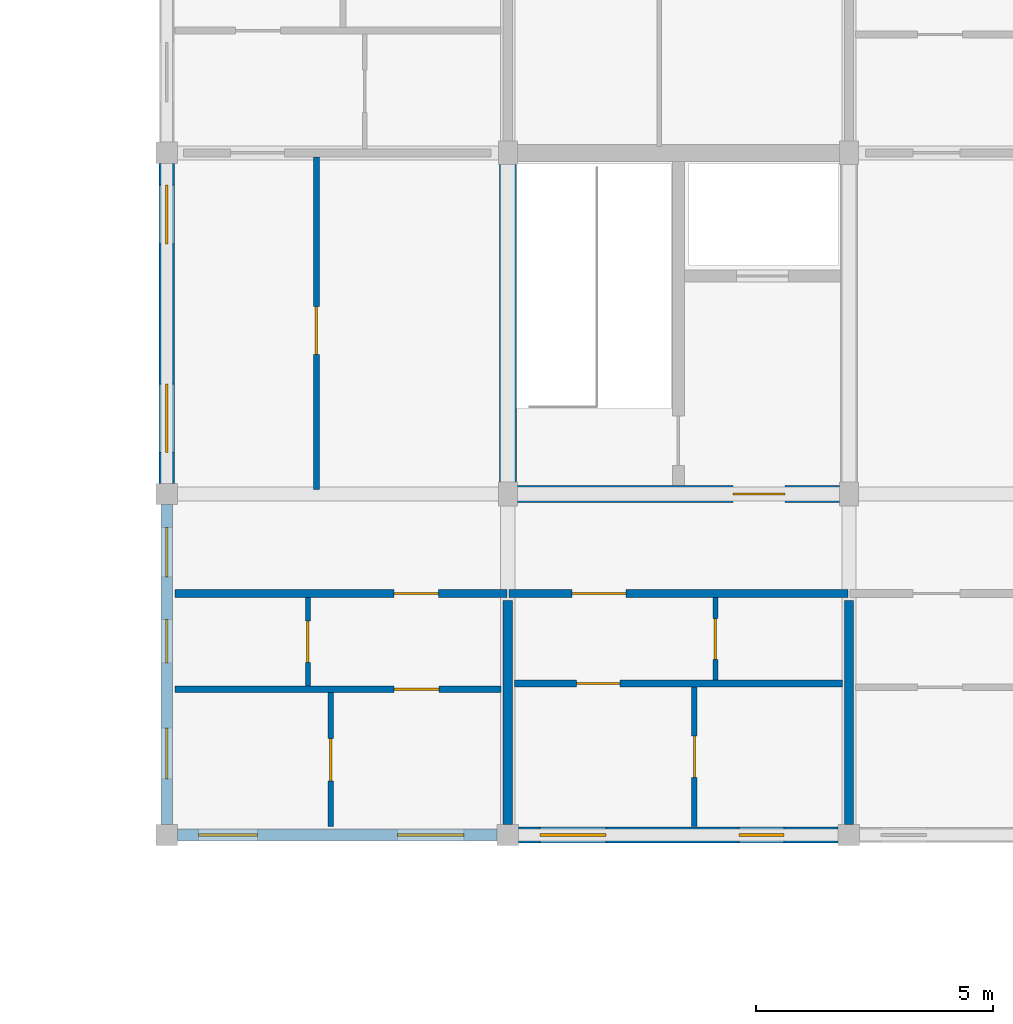
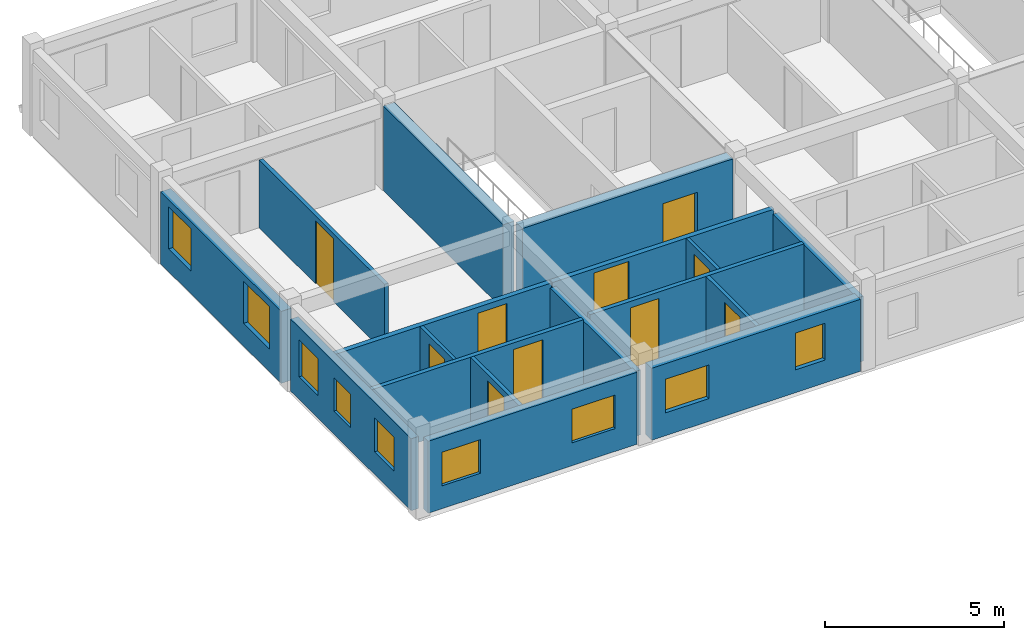
# One storey, part 17 of 23: 17 walls, 10 doors, 9 windows, 19 openings.
"""IFC4 building model written with IfcOpenShell, lengths in metres."""

import ifcopenshell
import ifcopenshell.guid

model = None  # the IFC model being written
_history = None  # IfcOwnerHistory: only IFC2X3 demands one
_inside = {}  # id of a spatial element -> (the spatial element, [elements in it])
_under = {}  # id of a project, library or spatial element -> (it, [spatial elements below it])
_declared = {}  # id of a project -> (the project, [libraries it declares])
_typed = {}  # id of a type object -> (the type object, [elements of that type])
_made_of = {}  # id of a material, layer set ... -> (it, [elements and type objects made of it])


def new_model(schema):
    """Start an empty IFC model of exactly this schema.

    Asked for "IFC4X3", IfcOpenShell would pick the latest addendum, in which some entities
    have other attributes; the version numbers below select the first issue.
    IFC2X3 requires an IfcOwnerHistory on every rooted entity: one is made here for all.
    """
    global model, _history
    if schema == "IFC4X3":
        model = ifcopenshell.file(schema_version=(4, 3, 0, 0))
    else:
        model = ifcopenshell.file(schema=schema)
    _inside.clear()
    _under.clear()
    _declared.clear()
    _typed.clear()
    _made_of.clear()
    _history = None
    if model.schema == "IFC2X3":
        org = make("IfcOrganization", Name="unknown")
        user = make(
            "IfcPersonAndOrganization",
            ThePerson=make("IfcPerson", FamilyName="unknown"),
            TheOrganization=org,
        )
        app = make(
            "IfcApplication",
            ApplicationDeveloper=org,
            Version="unknown",
            ApplicationFullName="unknown",
            ApplicationIdentifier="unknown",
        )
        _history = make(
            "IfcOwnerHistory",
            OwningUser=user,
            OwningApplication=app,
            ChangeAction="ADDED",
            CreationDate=0,
        )
    return model


def make(cls, **values):
    """One entity of the class cls with the attributes given. An attribute that is None is left unset."""
    return model.create_entity(
        cls, **{name: value for name, value in values.items() if value is not None}
    )


def rooted(cls, **values):
    """An entity with a GlobalId (a new one), such as an element, a storey or a relation."""
    return make(cls, GlobalId=ifcopenshell.guid.new(), OwnerHistory=_history, **values)


def si_unit(unit_type, name, prefix=None):
    """IfcSIUnit, for example si_unit("LENGTHUNIT", "METRE", prefix="MILLI")."""
    return make("IfcSIUnit", UnitType=unit_type, Prefix=prefix, Name=name)


def assignment(units):
    """IfcUnitAssignment: the units of a project."""
    return None if units is None else make("IfcUnitAssignment", Units=units)


def point(xyz):
    """IfcCartesianPoint."""
    return None if xyz is None else make("IfcCartesianPoint", Coordinates=xyz)


def direction(xyz):
    """IfcDirection."""
    return None if xyz is None else make("IfcDirection", DirectionRatios=xyz)


def frame(location, z_axis=None, x_axis=None):
    """IfcAxis2Placement3D, a coordinate frame: its origin and axes. An axis left out is left unset."""
    return make(
        "IfcAxis2Placement3D",
        Location=point(location),
        Axis=direction(z_axis),
        RefDirection=direction(x_axis),
    )


def frame_2d(location, x_axis=None):
    """IfcAxis2Placement2D, a coordinate frame in the plane: its origin and x axis."""
    return make(
        "IfcAxis2Placement2D", Location=point(location), RefDirection=direction(x_axis)
    )


def origin():
    """The frame at (0, 0, 0) with its axes left unset."""
    return frame((0.0, 0.0, 0.0))


def place(relative_to, where):
    """IfcLocalPlacement: puts the frame where relative to a parent placement (None: the world)."""
    return make(
        "IfcLocalPlacement", PlacementRelTo=relative_to, RelativePlacement=where
    )


def context(
    kind, dimensions, precision=None, world=None, true_north=None, identifier=None
):
    """IfcGeometricRepresentationContext, for example the 3D "Model" context."""
    return make(
        "IfcGeometricRepresentationContext",
        ContextIdentifier=identifier,
        ContextType=kind,
        CoordinateSpaceDimension=dimensions,
        Precision=precision,
        WorldCoordinateSystem=world,
        TrueNorth=true_north,
    )


def subcontext(parent, identifier, kind, view, scale=None):
    """IfcGeometricRepresentationSubContext, for example "Body" below "Model"."""
    return make(
        "IfcGeometricRepresentationSubContext",
        ContextIdentifier=identifier,
        ContextType=kind,
        ParentContext=parent,
        TargetScale=scale,
        TargetView=view,
    )


def project(units=None, contexts=None):
    """IfcProject with its units and contexts."""
    return rooted(
        "IfcProject",
        Name="project",
        RepresentationContexts=contexts,
        UnitsInContext=assignment(units),
    )


def spatial(cls, under=None, at=None, **own):
    """A site, building, storey or space (cls), placed at a placement, below another one or the project."""
    s = rooted(cls, ObjectPlacement=at, **own)
    if under is not None:
        _under.setdefault(under.id(), (under, []))[1].append(s)
    return s


def profile(cls, at=None, kind="AREA", **sizes):
    """A parametric profile (cls). Its sizes go by their IFC names, for example OverallWidth=200.0."""
    return make(cls, ProfileType=kind, Position=at, **sizes)


def rectangle(**sizes):
    """IfcRectangleProfileDef."""
    return profile("IfcRectangleProfileDef", **sizes)


def extrude(swept, where, along, depth):
    """IfcExtrudedAreaSolid: the profile swept, set in the frame where, extruded along a direction by depth."""
    return make(
        "IfcExtrudedAreaSolid",
        SweptArea=swept,
        Position=where,
        ExtrudedDirection=direction(along),
        Depth=depth,
    )


def shape(context_of_items, identifier, shape_type, items):
    """IfcShapeRepresentation: the items that make up one representation, for example the "Body"."""
    return make(
        "IfcShapeRepresentation",
        ContextOfItems=context_of_items,
        RepresentationIdentifier=identifier,
        RepresentationType=shape_type,
        Items=items,
    )


def material(Name=None, Category=None):
    """IfcMaterial."""
    return make("IfcMaterial", Name=Name, Category=Category)


def layer(
    of_material, thickness, ventilated=None, Name=None, Category=None, Priority=None
):
    """IfcMaterialLayer: one layer of a wall or slab, of a material (None: an air gap)."""
    return make(
        "IfcMaterialLayer",
        Material=of_material,
        LayerThickness=thickness,
        IsVentilated=ventilated,
        Name=Name,
        Category=Category,
        Priority=Priority,
    )


def layer_set(layers, Name=None):
    """IfcMaterialLayerSet."""
    return make("IfcMaterialLayerSet", MaterialLayers=layers, LayerSetName=Name)


def made_of(thing, what):
    """Note that an element or type object is made of a material, layer set ...; save() writes the relation."""
    if what is not None:
        _made_of.setdefault(what.id(), (what, []))[1].append(thing)
    return thing


def type_object(cls, material=None, **own):
    """A type object (cls), such as IfcWallType, which elements share."""
    return made_of(rooted(cls, **own), material)


def element(
    cls,
    number,
    at=None,
    inside=None,
    cuts=None,
    type_object=None,
    material=None,
    context=None,
    identifier="Body",
    shape_type=None,
    held_by="IfcProductDefinitionShape",
    body=None,
    shapes=None,
    **own,
):
    """One element of the class cls, such as IfcWall. Its Tag is "e" and its number.

    at: its placement. inside: the storey or other place that contains it. cuts: it is an
    opening in that element (IfcRelVoidsElement). A single representation is given by context,
    identifier, shape_type and body (its items); several are given by shapes. held_by: the class
    of the entity that holds the representations. save() writes the other relations.
    """
    e = rooted(cls, Tag="e%d" % number, ObjectPlacement=at, **own)
    if body is not None:
        shapes = [shape(context, identifier, shape_type, body)]
    if shapes is not None:
        e.Representation = make(held_by, Representations=shapes)
    if inside is not None:
        _inside.setdefault(inside.id(), (inside, []))[1].append(e)
    if cuts is not None:
        rooted(
            "IfcRelVoidsElement", RelatingBuildingElement=cuts, RelatedOpeningElement=e
        )
    if type_object is not None:
        _typed.setdefault(type_object.id(), (type_object, []))[1].append(e)
    return made_of(e, material)


def fill(opening, filler):
    """IfcRelFillsElement: the door or window that sits in an opening."""
    return rooted(
        "IfcRelFillsElement",
        RelatingOpeningElement=opening,
        RelatedBuildingElement=filler,
    )


def aggregate(whole, parts):
    """IfcRelAggregates: a whole, such as a stair, and the parts it consists of."""
    return rooted("IfcRelAggregates", RelatingObject=whole, RelatedObjects=parts)


def save(model, path):
    """Write the relations noted so far, then the file.

    IfcRelAggregates (storeys below a building ...), IfcRelContainedInSpatialStructure (elements
    in a storey), IfcRelDefinesByType, IfcRelAssociatesMaterial and IfcRelDeclares: one each for
    every whole, place, type object, material and project.
    """
    for whole, parts in _under.values():
        aggregate(whole, parts)
    for where, things in _inside.values():
        rooted(
            "IfcRelContainedInSpatialStructure",
            RelatedElements=things,
            RelatingStructure=where,
        )
    for kind, things in _typed.values():
        rooted("IfcRelDefinesByType", RelatedObjects=things, RelatingType=kind)
    for what, things in _made_of.values():
        rooted("IfcRelAssociatesMaterial", RelatedObjects=things, RelatingMaterial=what)
    for by, libraries in _declared.values():
        rooted("IfcRelDeclares", RelatingContext=by, RelatedDefinitions=libraries)
    model.write(path)


model = new_model("IFC4")

# Units and contexts
model_context = context("Model", 3, precision=1e-05, world=origin(), true_north=direction((0.0, 1.0)))
body_context = subcontext(model_context, "Body", "Model", "MODEL_VIEW")
ifc_project = project(units=[si_unit("LENGTHUNIT", "METRE"), si_unit("AREAUNIT", "SQUARE_METRE"), si_unit("VOLUMEUNIT", "CUBIC_METRE"), si_unit("PLANEANGLEUNIT", "RADIAN"), si_unit("MASSUNIT", "GRAM", prefix="KILO"), si_unit("THERMODYNAMICTEMPERATUREUNIT", "KELVIN"), si_unit("POWERUNIT", "WATT")], contexts=[model_context])

# Site, building, storey
site_placement = place(None, origin())
site = spatial("IfcSite", under=ifc_project, at=site_placement, CompositionType="ELEMENT")
building_placement = place(site_placement, origin())
building = spatial("IfcBuilding", under=site, at=building_placement, Name="Tavuni Mirador Residences", CompositionType="ELEMENT")
storey_placement = place(building_placement, frame((0.0, 0.0, 42.300048828125)))
storey = spatial("IfcBuildingStorey", under=building, at=storey_placement, Name="L13", CompositionType="ELEMENT", Elevation=42.300048828125)

# Wall
ifc_material_1 = material(Name="Precast concrete C40/50", Category="concrete")
ifc_layer_1 = layer(ifc_material_1, 0.360107421875, Name="Precast concrete C40/50", Category="concrete")
ifc_layer_set_1 = layer_set([ifc_layer_1], Name="Precast concrete C40/50")
wall_type_1 = type_object("IfcWallType", Name="WT-COR360", PredefinedType="SHEAR", material=ifc_layer_set_1)
wall_1_placement = place(storey_placement, frame((25.199951171875, 158.64990234375, 0.0), z_axis=(0.0, 0.0, 1.0), x_axis=(0.0, 1.0, 0.0)))
element("IfcWall", 1, at=wall_1_placement, inside=storey, type_object=wall_type_1, Name="CWALL-C5-L13-W", PredefinedType="SHEAR", context=body_context, shape_type="SweptSolid", body=[
    extrude(rectangle(XDim=6.7001953125, YDim=0.360107421875, at=frame_2d((3.35009765625, 0.0))), origin(), (0.0, 0.0, 1.0), 2.889892578125),
])

# Wall, opening, door
wall_2_placement = place(storey_placement, frame((25.39990234375, 158.39990234375, 0.0), z_axis=(0.0, 0.0, 1.0), x_axis=(1.0, 0.0, 0.0)))
wall_2 = element("IfcWall", 2, at=wall_2_placement, inside=storey, type_object=wall_type_1, Name="CWALL-C5-L13-SS", PredefinedType="SHEAR", context=body_context, shape_type="SweptSolid", body=[
    extrude(rectangle(XDim=6.800048828125, YDim=0.360107421875, at=frame_2d((3.39990234375, 0.0))), origin(), (0.0, 0.0, 1.0), 2.889892578125),
])
opening_1_placement = place(wall_2_placement, frame((4.550048828125, 0.0, 0.0)))
opening_1 = element("IfcOpeningElement", 3, at=opening_1_placement, cuts=wall_2, Name="Opening D-02", PredefinedType="OPENING", context=body_context, shape_type="SweptSolid", body=[
    extrude(rectangle(XDim=1.10009765625, YDim=2.14990234375, at=frame_2d((0.550048828125, 1.074951171875))), frame((0.0, 0.18994140625, 0.0), z_axis=(0.0, -1.0, 0.0), x_axis=(1.0, 0.0, 0.0)), (0.0, 0.0, 1.0), 0.380126953125),
])
ifc_material_2 = material(Name="Solid core iroko timber", Category="wood")
door_type_1 = type_object("IfcDoorType", Name="DT-LOB1100", OperationType="NOTDEFINED", PredefinedType="DOOR", material=ifc_material_2)
door_1_placement = place(opening_1_placement, frame((1.10009765625, 0.0, 0.0), z_axis=(0.0, 0.0, 1.0), x_axis=(-1.0, 0.0, 0.0)))
door_1 = element("IfcDoor", 4, at=door_1_placement, inside=storey, type_object=door_type_1, Name="DR-2213", OperationType="SINGLE_SWING_LEFT", OverallHeight=2.14990234375, OverallWidth=1.10009765625, PredefinedType="DOOR", context=body_context, shape_type="SweptSolid", body=[
    extrude(rectangle(XDim=1.10009765625, YDim=2.14990234375, at=frame_2d((0.550048828125, 1.074951171875))), frame((0.0, 0.02490234375, 0.0), z_axis=(0.0, -1.0, 0.0), x_axis=(1.0, 0.0, 0.0)), (0.0, 0.0, 1.0), 0.050048828125),
])
fill(opening_1, door_1)

ifc_layer_2 = layer(ifc_material_1, 0.1650390625, Name="Precast concrete C40/50", Category="concrete")
ifc_layer_set_2 = layer_set([ifc_layer_2], Name="Precast concrete C40/50")
wall_type_2 = type_object("IfcWallType", Name="WT-CORR165", PredefinedType="PARTITIONING", material=ifc_layer_set_2)
wall_3_placement = place(storey_placement, frame((18.175048828125, 156.300048828125, 0.0), z_axis=(0.0, 0.0, 1.0), x_axis=(1.0, 0.0, 0.0)))
wall_3 = element("IfcWall", 5, at=wall_3_placement, inside=storey, type_object=wall_type_2, Name="CORW-BLK-C-L13-0-00", PredefinedType="PARTITIONING", context=body_context, shape_type="SweptSolid", body=[
    extrude(rectangle(XDim=7.0048828125, YDim=0.1650390625, at=frame_2d((3.50244140625, 0.0))), origin(), (0.0, 0.0, 1.0), 2.324951171875),
])
opening_2_placement = place(wall_3_placement, frame((4.625, 0.0, 0.0)))
opening_2 = element("IfcOpeningElement", 6, at=opening_2_placement, cuts=wall_3, Name="Opening D-19", PredefinedType="OPENING", context=body_context, shape_type="SweptSolid", body=[
    extrude(rectangle(XDim=0.93994140625, YDim=2.1201171875, at=frame_2d((0.469970703125, 1.06005859375))), frame((0.0, 0.092529296875, 0.0), z_axis=(0.0, -1.0, 0.0), x_axis=(1.0, 0.0, 0.0)), (0.0, 0.0, 1.0), 0.18505859375),
])
door_type_2 = type_object("IfcDoorType", Name="DT-FD60-940", OperationType="NOTDEFINED", PredefinedType="DOOR", material=ifc_material_2)
door_2_placement = place(opening_2_placement, origin())
door_2 = element("IfcDoor", 7, at=door_2_placement, inside=storey, type_object=door_type_2, Name="DR-2791", OperationType="SINGLE_SWING_RIGHT", OverallHeight=2.1201171875, OverallWidth=0.93994140625, PredefinedType="DOOR", context=body_context, shape_type="SweptSolid", body=[
    extrude(rectangle(XDim=0.93994140625, YDim=2.1201171875, at=frame_2d((0.469970703125, 1.06005859375))), frame((0.0, 0.02490234375, 0.0), z_axis=(0.0, -1.0, 0.0), x_axis=(1.0, 0.0, 0.0)), (0.0, 0.0, 1.0), 0.050048828125),
])
fill(opening_2, door_2)

wall_4_placement = place(storey_placement, frame((25.219970703125, 156.300048828125, 0.0), z_axis=(0.0, 0.0, 1.0), x_axis=(1.0, 0.0, 0.0)))
wall_4 = element("IfcWall", 8, at=wall_4_placement, inside=storey, type_object=wall_type_2, Name="CORW-BLK-C-L13-0-01", PredefinedType="PARTITIONING", context=body_context, shape_type="SweptSolid", body=[
    extrude(rectangle(XDim=7.159912109375, YDim=0.1650390625, at=frame_2d((3.580078125, 0.0))), origin(), (0.0, 0.0, 1.0), 2.324951171875),
])
opening_3_placement = place(wall_4_placement, frame((1.330078125, 0.0, 0.0)))
opening_3 = element("IfcOpeningElement", 9, at=opening_3_placement, cuts=wall_4, Name="Opening D-20", PredefinedType="OPENING", context=body_context, shape_type="SweptSolid", body=[
    extrude(rectangle(XDim=1.139892578125, YDim=2.179931640625, at=frame_2d((0.56982421875, 1.08984375))), frame((0.0, 0.092529296875, 0.0), z_axis=(0.0, -1.0, 0.0), x_axis=(1.0, 0.0, 0.0)), (0.0, 0.0, 1.0), 0.18505859375),
])
door_type_3 = type_object("IfcDoorType", Name="DT-FD60-1140", OperationType="NOTDEFINED", PredefinedType="DOOR", material=ifc_material_2)
door_3_placement = place(opening_3_placement, origin())
door_3 = element("IfcDoor", 10, at=door_3_placement, inside=storey, type_object=door_type_3, Name="DR-2792", OperationType="SINGLE_SWING_LEFT", OverallHeight=2.179931640625, OverallWidth=1.139892578125, PredefinedType="DOOR", context=body_context, shape_type="SweptSolid", body=[
    extrude(rectangle(XDim=1.139892578125, YDim=2.179931640625, at=frame_2d((0.56982421875, 1.08984375))), frame((0.0, 0.02490234375, 0.0), z_axis=(0.0, -1.0, 0.0), x_axis=(1.0, 0.0, 0.0)), (0.0, 0.0, 1.0), 0.050048828125),
])
fill(opening_3, door_3)

# Wall, openings, windows
ifc_layer_3 = layer(ifc_material_1, 0.330078125, Name="Precast concrete C40/50", Category="concrete")
ifc_layer_set_3 = layer_set([ifc_layer_3], Name="Precast concrete C40/50")
wall_type_3 = type_object("IfcWallType", Name="WT-EXT-COR330", PredefinedType="SOLIDWALL", material=ifc_layer_set_3)
wall_5_placement = place(storey_placement, frame((25.425048828125, 151.199951171875, 0.0), z_axis=(0.0, 0.0, 1.0), x_axis=(1.0, 0.0, 0.0)))
wall_5 = element("IfcWall", 11, at=wall_5_placement, inside=storey, type_object=wall_type_3, Name="EW-BLK-C-L13-S01", PredefinedType="SOLIDWALL", context=body_context, shape_type="SweptSolid", body=[
    extrude(rectangle(XDim=6.75, YDim=0.330078125, at=frame_2d((3.375, 0.0))), origin(), (0.0, 0.0, 1.0), 2.4599609375),
])
opening_4_placement = place(wall_5_placement, frame((0.449951171875, 0.0, 0.780029296875)))
opening_4 = element("IfcOpeningElement", 12, at=opening_4_placement, cuts=wall_5, Name="Opening WN-08", PredefinedType="OPENING", context=body_context, shape_type="SweptSolid", body=[
    extrude(rectangle(XDim=1.39990234375, YDim=1.14990234375, at=frame_2d((0.699951171875, 0.574951171875))), frame((0.0, 0.175048828125, 0.0), z_axis=(0.0, -1.0, 0.0), x_axis=(1.0, 0.0, 0.0)), (0.0, 0.0, 1.0), 0.35009765625),
])
opening_5_placement = place(wall_5_placement, frame((4.64990234375, 0.0, 0.780029296875)))
opening_5 = element("IfcOpeningElement", 13, at=opening_5_placement, cuts=wall_5, Name="Opening WN-10", PredefinedType="OPENING", context=body_context, shape_type="SweptSolid", body=[
    extrude(rectangle(XDim=0.9599609375, YDim=1.260009765625, at=frame_2d((0.47998046875, 0.6298828125))), frame((0.0, 0.175048828125, 0.0), z_axis=(0.0, -1.0, 0.0), x_axis=(1.0, 0.0, 0.0)), (0.0, 0.0, 1.0), 0.35009765625),
])
ifc_material_3 = material(Name="Laminated solar-control glass", Category="glass")
window_type_1 = type_object("IfcWindowType", Name="WNT-08", PartitioningType="SINGLE_PANEL", PredefinedType="WINDOW", material=ifc_material_3)
window_1_placement = place(opening_4_placement, origin())
window_1 = element("IfcWindow", 14, at=window_1_placement, inside=storey, type_object=window_type_1, Name="WIN-1374", OverallHeight=1.14990234375, OverallWidth=1.39990234375, PartitioningType="SINGLE_PANEL", PredefinedType="WINDOW", context=body_context, shape_type="SweptSolid", body=[
    extrude(rectangle(XDim=1.39990234375, YDim=1.14990234375, at=frame_2d((0.699951171875, 0.574951171875))), frame((0.0, 0.030029296875, 0.0), z_axis=(0.0, -1.0, 0.0), x_axis=(1.0, 0.0, 0.0)), (0.0, 0.0, 1.0), 0.06005859375),
])
fill(opening_4, window_1)
window_type_2 = type_object("IfcWindowType", Name="WNT-10", PartitioningType="SINGLE_PANEL", PredefinedType="WINDOW", material=ifc_material_3)
window_2_placement = place(opening_5_placement, origin())
window_2 = element("IfcWindow", 15, at=window_2_placement, inside=storey, type_object=window_type_2, Name="WIN-1375", OverallHeight=1.260009765625, OverallWidth=0.9599609375, PartitioningType="SINGLE_PANEL", PredefinedType="WINDOW", context=body_context, shape_type="SweptSolid", body=[
    extrude(rectangle(XDim=0.9599609375, YDim=1.260009765625, at=frame_2d((0.47998046875, 0.6298828125))), frame((0.0, 0.030029296875, 0.0), z_axis=(0.0, -1.0, 0.0), x_axis=(1.0, 0.0, 0.0)), (0.0, 0.0, 1.0), 0.06005859375),
])
fill(opening_5, window_2)

wall_6_placement = place(storey_placement, frame((18.0, 165.375, 0.0), z_axis=(0.0, 0.0, 1.0), x_axis=(0.0, -1.0, 0.0)))
wall_6 = element("IfcWall", 16, at=wall_6_placement, inside=storey, type_object=wall_type_3, Name="EW-BLK-C-L13-W01", PredefinedType="SOLIDWALL", context=body_context, shape_type="SweptSolid", body=[
    extrude(rectangle(XDim=6.75, YDim=0.330078125, at=frame_2d((3.375, 0.0))), origin(), (0.0, 0.0, 1.0), 2.4599609375),
])
opening_6_placement = place(wall_6_placement, frame((0.449951171875, 0.0, 0.780029296875)))
opening_6 = element("IfcOpeningElement", 17, at=opening_6_placement, cuts=wall_6, Name="Opening WN-28", PredefinedType="OPENING", context=body_context, shape_type="SweptSolid", body=[
    extrude(rectangle(XDim=1.25, YDim=1.43994140625, at=frame_2d((0.625, 0.719970703125))), frame((0.0, 0.175048828125, 0.0), z_axis=(0.0, -1.0, 0.0), x_axis=(1.0, 0.0, 0.0)), (0.0, 0.0, 1.0), 0.35009765625),
])
opening_7_placement = place(wall_6_placement, frame((4.64990234375, 0.0, 0.780029296875)))
opening_7 = element("IfcOpeningElement", 18, at=opening_7_placement, cuts=wall_6, Name="Opening WN-30", PredefinedType="OPENING", context=body_context, shape_type="SweptSolid", body=[
    extrude(rectangle(XDim=1.449951171875, YDim=1.43994140625, at=frame_2d((0.72509765625, 0.719970703125))), frame((0.0, 0.175048828125, 0.0), z_axis=(0.0, -1.0, 0.0), x_axis=(1.0, 0.0, 0.0)), (0.0, 0.0, 1.0), 0.35009765625),
])
window_type_3 = type_object("IfcWindowType", Name="WNT-28", PartitioningType="SINGLE_PANEL", PredefinedType="WINDOW", material=ifc_material_3)
window_3_placement = place(opening_6_placement, origin())
window_3 = element("IfcWindow", 19, at=window_3_placement, inside=storey, type_object=window_type_3, Name="WIN-1394", OverallHeight=1.43994140625, OverallWidth=1.25, PartitioningType="SINGLE_PANEL", PredefinedType="WINDOW", context=body_context, shape_type="SweptSolid", body=[
    extrude(rectangle(XDim=1.25, YDim=1.43994140625, at=frame_2d((0.625, 0.719970703125))), frame((0.0, 0.030029296875, 0.0), z_axis=(0.0, -1.0, 0.0), x_axis=(1.0, 0.0, 0.0)), (0.0, 0.0, 1.0), 0.06005859375),
])
fill(opening_6, window_3)
window_type_4 = type_object("IfcWindowType", Name="WNT-30", PartitioningType="SINGLE_PANEL", PredefinedType="WINDOW", material=ifc_material_3)
window_4_placement = place(opening_7_placement, origin())
window_4 = element("IfcWindow", 20, at=window_4_placement, inside=storey, type_object=window_type_4, Name="WIN-1395", OverallHeight=1.43994140625, OverallWidth=1.449951171875, PartitioningType="SINGLE_PANEL", PredefinedType="WINDOW", context=body_context, shape_type="SweptSolid", body=[
    extrude(rectangle(XDim=1.449951171875, YDim=1.43994140625, at=frame_2d((0.72509765625, 0.719970703125))), frame((0.0, 0.030029296875, 0.0), z_axis=(0.0, -1.0, 0.0), x_axis=(1.0, 0.0, 0.0)), (0.0, 0.0, 1.0), 0.06005859375),
])
fill(opening_7, window_4)

ifc_material_4 = material(Name="Sgraffito lime-rendered precast concrete C40/50", Category="concrete")
ifc_layer_4 = layer(ifc_material_4, 0.2451171875, Name="Sgraffito lime-rendered precast concrete C40/50", Category="concrete")
ifc_layer_set_4 = layer_set([ifc_layer_4], Name="Sgraffito lime-rendered precast concrete C40/50")
wall_type_4 = type_object("IfcWallType", Name="WT-EXT-PC245", PredefinedType="SOLIDWALL", material=ifc_layer_set_4)
wall_7_placement = place(storey_placement, frame((18.22509765625, 151.199951171875, 0.0), z_axis=(0.0, 0.0, 1.0), x_axis=(1.0, 0.0, 0.0)))
wall_7 = element("IfcWall", 21, at=wall_7_placement, inside=storey, type_object=wall_type_4, Name="EW-BLK-C-L13-S00", PredefinedType="SOLIDWALL", context=body_context, shape_type="SweptSolid", body=[
    extrude(rectangle(XDim=6.75, YDim=0.2451171875, at=frame_2d((3.375, 0.0))), origin(), (0.0, 0.0, 1.0), 2.4599609375),
])
opening_8_placement = place(wall_7_placement, frame((0.449951171875, 0.0, 0.780029296875)))
opening_8 = element("IfcOpeningElement", 22, at=opening_8_placement, cuts=wall_7, Name="Opening WN-06", PredefinedType="OPENING", context=body_context, shape_type="SweptSolid", body=[
    extrude(rectangle(XDim=1.239990234375, YDim=1.14990234375, at=frame_2d((0.6201171875, 0.574951171875))), frame((0.0, 0.132568359375, 0.0), z_axis=(0.0, -1.0, 0.0), x_axis=(1.0, 0.0, 0.0)), (0.0, 0.0, 1.0), 0.26513671875),
])
opening_9_placement = place(wall_7_placement, frame((4.64990234375, 0.0, 0.780029296875)))
opening_9 = element("IfcOpeningElement", 23, at=opening_9_placement, cuts=wall_7, Name="Opening WN-08", PredefinedType="OPENING", context=body_context, shape_type="SweptSolid", body=[
    extrude(rectangle(XDim=1.39990234375, YDim=1.14990234375, at=frame_2d((0.699951171875, 0.574951171875))), frame((0.0, 0.132568359375, 0.0), z_axis=(0.0, -1.0, 0.0), x_axis=(1.0, 0.0, 0.0)), (0.0, 0.0, 1.0), 0.26513671875),
])
window_type_5 = type_object("IfcWindowType", Name="WNT-06", PartitioningType="SINGLE_PANEL", PredefinedType="WINDOW", material=ifc_material_3)
window_5_placement = place(opening_8_placement, origin())
window_5 = element("IfcWindow", 24, at=window_5_placement, inside=storey, type_object=window_type_5, Name="WIN-1372", OverallHeight=1.14990234375, OverallWidth=1.239990234375, PartitioningType="SINGLE_PANEL", PredefinedType="WINDOW", context=body_context, shape_type="SweptSolid", body=[
    extrude(rectangle(XDim=1.239990234375, YDim=1.14990234375, at=frame_2d((0.6201171875, 0.574951171875))), frame((0.0, 0.030029296875, 0.0), z_axis=(0.0, -1.0, 0.0), x_axis=(1.0, 0.0, 0.0)), (0.0, 0.0, 1.0), 0.06005859375),
])
fill(opening_8, window_5)
window_6_placement = place(opening_9_placement, origin())
window_6 = element("IfcWindow", 25, at=window_6_placement, inside=storey, type_object=window_type_1, Name="WIN-1373", OverallHeight=1.14990234375, OverallWidth=1.39990234375, PartitioningType="SINGLE_PANEL", PredefinedType="WINDOW", context=body_context, shape_type="SweptSolid", body=[
    extrude(rectangle(XDim=1.39990234375, YDim=1.14990234375, at=frame_2d((0.699951171875, 0.574951171875))), frame((0.0, 0.030029296875, 0.0), z_axis=(0.0, -1.0, 0.0), x_axis=(1.0, 0.0, 0.0)), (0.0, 0.0, 1.0), 0.06005859375),
])
fill(opening_9, window_6)

wall_8_placement = place(storey_placement, frame((18.0, 158.175048828125, 0.0), z_axis=(0.0, 0.0, 1.0), x_axis=(0.0, -1.0, 0.0)))
wall_8 = element("IfcWall", 26, at=wall_8_placement, inside=storey, type_object=wall_type_4, Name="EW-BLK-C-L13-W00", PredefinedType="SOLIDWALL", context=body_context, shape_type="SweptSolid", body=[
    extrude(rectangle(XDim=6.75, YDim=0.2451171875, at=frame_2d((3.375, 0.0))), origin(), (0.0, 0.0, 1.0), 2.4599609375),
])
opening_10_placement = place(wall_8_placement, frame((0.487548828125, 0.0, 0.780029296875)))
opening_10 = element("IfcOpeningElement", 27, at=opening_10_placement, cuts=wall_8, Name="Opening WN-11", PredefinedType="OPENING", context=body_context, shape_type="SweptSolid", body=[
    extrude(rectangle(XDim=1.0400390625, YDim=1.260009765625, at=frame_2d((0.52001953125, 0.6298828125))), frame((0.0, 0.132568359375, 0.0), z_axis=(0.0, -1.0, 0.0), x_axis=(1.0, 0.0, 0.0)), (0.0, 0.0, 1.0), 0.26513671875),
])
opening_11_placement = place(wall_8_placement, frame((2.425048828125, 0.0, 0.780029296875)))
opening_11 = element("IfcOpeningElement", 28, at=opening_11_placement, cuts=wall_8, Name="Opening WN-02", PredefinedType="OPENING", context=body_context, shape_type="SweptSolid", body=[
    extrude(rectangle(XDim=0.919921875, YDim=1.14990234375, at=frame_2d((0.4599609375, 0.574951171875))), frame((0.0, 0.132568359375, 0.0), z_axis=(0.0, -1.0, 0.0), x_axis=(1.0, 0.0, 0.0)), (0.0, 0.0, 1.0), 0.26513671875),
])
opening_12_placement = place(wall_8_placement, frame((4.71240234375, 0.0, 0.780029296875)))
opening_12 = element("IfcOpeningElement", 29, at=opening_12_placement, cuts=wall_8, Name="Opening WN-04", PredefinedType="OPENING", context=body_context, shape_type="SweptSolid", body=[
    extrude(rectangle(XDim=1.080078125, YDim=1.14990234375, at=frame_2d((0.5400390625, 0.574951171875))), frame((0.0, 0.132568359375, 0.0), z_axis=(0.0, -1.0, 0.0), x_axis=(1.0, 0.0, 0.0)), (0.0, 0.0, 1.0), 0.26513671875),
])
window_type_6 = type_object("IfcWindowType", Name="WNT-02", PartitioningType="SINGLE_PANEL", PredefinedType="WINDOW", material=ifc_material_3)
window_7_placement = place(opening_11_placement, origin())
window_7 = element("IfcWindow", 30, at=window_7_placement, inside=storey, type_object=window_type_6, Name="WIN-1397", OverallHeight=1.14990234375, OverallWidth=0.919921875, PartitioningType="SINGLE_PANEL", PredefinedType="WINDOW", context=body_context, shape_type="SweptSolid", body=[
    extrude(rectangle(XDim=0.919921875, YDim=1.14990234375, at=frame_2d((0.4599609375, 0.574951171875))), frame((0.0, 0.030029296875, 0.0), z_axis=(0.0, -1.0, 0.0), x_axis=(1.0, 0.0, 0.0)), (0.0, 0.0, 1.0), 0.06005859375),
])
fill(opening_11, window_7)
window_type_7 = type_object("IfcWindowType", Name="WNT-04", PartitioningType="SINGLE_PANEL", PredefinedType="WINDOW", material=ifc_material_3)
window_8_placement = place(opening_12_placement, origin())
window_8 = element("IfcWindow", 31, at=window_8_placement, inside=storey, type_object=window_type_7, Name="WIN-1398", OverallHeight=1.14990234375, OverallWidth=1.080078125, PartitioningType="SINGLE_PANEL", PredefinedType="WINDOW", context=body_context, shape_type="SweptSolid", body=[
    extrude(rectangle(XDim=1.080078125, YDim=1.14990234375, at=frame_2d((0.5400390625, 0.574951171875))), frame((0.0, 0.030029296875, 0.0), z_axis=(0.0, -1.0, 0.0), x_axis=(1.0, 0.0, 0.0)), (0.0, 0.0, 1.0), 0.06005859375),
])
fill(opening_12, window_8)
window_type_8 = type_object("IfcWindowType", Name="WNT-11", PartitioningType="SINGLE_PANEL", PredefinedType="WINDOW", material=ifc_material_3)
window_9_placement = place(opening_10_placement, origin())
window_9 = element("IfcWindow", 32, at=window_9_placement, inside=storey, type_object=window_type_8, Name="WIN-1396", OverallHeight=1.260009765625, OverallWidth=1.0400390625, PartitioningType="SINGLE_PANEL", PredefinedType="WINDOW", context=body_context, shape_type="SweptSolid", body=[
    extrude(rectangle(XDim=1.0400390625, YDim=1.260009765625, at=frame_2d((0.52001953125, 0.6298828125))), frame((0.0, 0.030029296875, 0.0), z_axis=(0.0, -1.0, 0.0), x_axis=(1.0, 0.0, 0.0)), (0.0, 0.0, 1.0), 0.06005859375),
])
fill(opening_10, window_9)

# Wall, opening, door
ifc_material_5 = material(Name="Acoustic gypsum and concrete block partition", Category="concrete")
ifc_layer_5 = layer(ifc_material_5, 0.10498046875, Name="Acoustic gypsum and concrete block partition", Category="concrete")
ifc_layer_set_5 = layer_set([ifc_layer_5], Name="Acoustic gypsum and concrete block partition")
wall_type_5 = type_object("IfcWallType", Name="WT-PART105", PredefinedType="PARTITIONING", material=ifc_layer_set_5)
wall_9_placement = place(storey_placement, frame((20.97998046875, 154.35009765625, 0.0), z_axis=(0.0, 0.0, 1.0), x_axis=(0.0, 1.0, 0.0)))
wall_9 = element("IfcWall", 33, at=wall_9_placement, inside=storey, type_object=wall_type_5, Name="PW-BLK-C-L13-S00-IN1", PredefinedType="PARTITIONING", context=body_context, shape_type="SweptSolid", body=[
    extrude(rectangle(XDim=1.85986328125, YDim=0.10498046875, at=frame_2d((0.929931640625, 0.0))), origin(), (0.0, 0.0, 1.0), 2.324951171875),
])
opening_13_placement = place(wall_9_placement, frame((0.4951171875, 0.0, 0.0)))
opening_13 = element("IfcOpeningElement", 34, at=opening_13_placement, cuts=wall_9, Name="Opening D-10", PredefinedType="OPENING", context=body_context, shape_type="SweptSolid", body=[
    extrude(rectangle(XDim=0.8701171875, YDim=2.050048828125, at=frame_2d((0.43505859375, 1.02490234375))), frame((0.0, 0.0625, 0.0), z_axis=(0.0, -1.0, 0.0), x_axis=(1.0, 0.0, 0.0)), (0.0, 0.0, 1.0), 0.125),
])
door_type_4 = type_object("IfcDoorType", Name="DT-WC870", OperationType="NOTDEFINED", PredefinedType="DOOR", material=ifc_material_2)
door_4_placement = place(opening_13_placement, origin())
door_4 = element("IfcDoor", 35, at=door_4_placement, inside=storey, type_object=door_type_4, Name="DR-4260", OperationType="SINGLE_SWING_LEFT", OverallHeight=2.050048828125, OverallWidth=0.8701171875, PredefinedType="DOOR", context=body_context, shape_type="SweptSolid", body=[
    extrude(rectangle(XDim=0.8701171875, YDim=2.050048828125, at=frame_2d((0.43505859375, 1.02490234375))), frame((0.0, 0.02490234375, 0.0), z_axis=(0.0, -1.0, 0.0), x_axis=(1.0, 0.0, 0.0)), (0.0, 0.0, 1.0), 0.050048828125),
])
fill(opening_13, door_4)

wall_10_placement = place(storey_placement, frame((29.580078125, 154.469970703125, 0.0), z_axis=(0.0, 0.0, 1.0), x_axis=(0.0, 1.0, 0.0)))
wall_10 = element("IfcWall", 36, at=wall_10_placement, inside=storey, type_object=wall_type_5, Name="PW-BLK-C-L13-S01-IN1", PredefinedType="PARTITIONING", context=body_context, shape_type="SweptSolid", body=[
    extrude(rectangle(XDim=1.739990234375, YDim=0.10498046875, at=frame_2d((0.8701171875, 0.0))), origin(), (0.0, 0.0, 1.0), 2.324951171875),
])
opening_14_placement = place(wall_10_placement, frame((0.43505859375, 0.0, 0.0)))
opening_14 = element("IfcOpeningElement", 37, at=opening_14_placement, cuts=wall_10, Name="Opening D-10", PredefinedType="OPENING", context=body_context, shape_type="SweptSolid", body=[
    extrude(rectangle(XDim=0.8701171875, YDim=2.050048828125, at=frame_2d((0.43505859375, 1.02490234375))), frame((0.0, 0.0625, 0.0), z_axis=(0.0, -1.0, 0.0), x_axis=(1.0, 0.0, 0.0)), (0.0, 0.0, 1.0), 0.125),
])
door_5_placement = place(opening_14_placement, origin())
door_5 = element("IfcDoor", 38, at=door_5_placement, inside=storey, type_object=door_type_4, Name="DR-4266", OperationType="SINGLE_SWING_RIGHT", OverallHeight=2.050048828125, OverallWidth=0.8701171875, PredefinedType="DOOR", context=body_context, shape_type="SweptSolid", body=[
    extrude(rectangle(XDim=0.8701171875, YDim=2.050048828125, at=frame_2d((0.43505859375, 1.02490234375))), frame((0.0, 0.02490234375, 0.0), z_axis=(0.0, -1.0, 0.0), x_axis=(1.0, 0.0, 0.0)), (0.0, 0.0, 1.0), 0.050048828125),
])
fill(opening_14, door_5)

ifc_layer_6 = layer(ifc_material_5, 0.114990234375, Name="Acoustic gypsum and concrete block partition", Category="concrete")
ifc_layer_set_6 = layer_set([ifc_layer_6], Name="Acoustic gypsum and concrete block partition")
wall_type_6 = type_object("IfcWallType", Name="WT-PART115", PredefinedType="PARTITIONING", material=ifc_layer_set_6)
wall_11_placement = place(storey_placement, frame((21.4599609375, 151.375, 0.0), z_axis=(0.0, 0.0, 1.0), x_axis=(0.0, 1.0, 0.0)))
wall_11 = element("IfcWall", 39, at=wall_11_placement, inside=storey, type_object=wall_type_6, Name="PW-BLK-C-L13-S00-OUT", PredefinedType="PARTITIONING", context=body_context, shape_type="SweptSolid", body=[
    extrude(rectangle(XDim=2.8349609375, YDim=0.114990234375, at=frame_2d((1.41748046875, 0.0))), origin(), (0.0, 0.0, 1.0), 2.324951171875),
])
opening_15_placement = place(wall_11_placement, frame((0.967529296875, 0.0, 0.0)))
opening_15 = element("IfcOpeningElement", 40, at=opening_15_placement, cuts=wall_11, Name="Opening D-07", PredefinedType="OPENING", context=body_context, shape_type="SweptSolid", body=[
    extrude(rectangle(XDim=0.89990234375, YDim=2.10009765625, at=frame_2d((0.449951171875, 1.050048828125))), frame((0.0, 0.0673828125, 0.0), z_axis=(0.0, -1.0, 0.0), x_axis=(1.0, 0.0, 0.0)), (0.0, 0.0, 1.0), 0.135009765625),
])
door_type_5 = type_object("IfcDoorType", Name="DT-BED900", OperationType="NOTDEFINED", PredefinedType="DOOR", material=ifc_material_2)
door_6_placement = place(opening_15_placement, origin())
door_6 = element("IfcDoor", 41, at=door_6_placement, inside=storey, type_object=door_type_5, Name="DR-4259", OperationType="SINGLE_SWING_RIGHT", OverallHeight=2.10009765625, OverallWidth=0.89990234375, PredefinedType="DOOR", context=body_context, shape_type="SweptSolid", body=[
    extrude(rectangle(XDim=0.89990234375, YDim=2.10009765625, at=frame_2d((0.449951171875, 1.050048828125))), frame((0.0, 0.02490234375, 0.0), z_axis=(0.0, -1.0, 0.0), x_axis=(1.0, 0.0, 0.0)), (0.0, 0.0, 1.0), 0.050048828125),
])
fill(opening_15, door_6)

wall_12_placement = place(storey_placement, frame((29.139892578125, 151.375, 0.0), z_axis=(0.0, 0.0, 1.0), x_axis=(0.0, 1.0, 0.0)))
wall_12 = element("IfcWall", 42, at=wall_12_placement, inside=storey, type_object=wall_type_6, Name="PW-BLK-C-L13-S01-OUT", PredefinedType="PARTITIONING", context=body_context, shape_type="SweptSolid", body=[
    extrude(rectangle(XDim=2.955078125, YDim=0.114990234375, at=frame_2d((1.4775390625, 0.0))), origin(), (0.0, 0.0, 1.0), 2.324951171875),
])
opening_16_placement = place(wall_12_placement, frame((1.03759765625, 0.0, 0.0)))
opening_16 = element("IfcOpeningElement", 43, at=opening_16_placement, cuts=wall_12, Name="Opening D-08", PredefinedType="OPENING", context=body_context, shape_type="SweptSolid", body=[
    extrude(rectangle(XDim=0.8798828125, YDim=2.080078125, at=frame_2d((0.43994140625, 1.0400390625))), frame((0.0, 0.0673828125, 0.0), z_axis=(0.0, -1.0, 0.0), x_axis=(1.0, 0.0, 0.0)), (0.0, 0.0, 1.0), 0.135009765625),
])
door_type_6 = type_object("IfcDoorType", Name="DT-BED880", OperationType="NOTDEFINED", PredefinedType="DOOR", material=ifc_material_2)
door_7_placement = place(opening_16_placement, origin())
door_7 = element("IfcDoor", 44, at=door_7_placement, inside=storey, type_object=door_type_6, Name="DR-4265", OperationType="SINGLE_SWING_LEFT", OverallHeight=2.080078125, OverallWidth=0.8798828125, PredefinedType="DOOR", context=body_context, shape_type="SweptSolid", body=[
    extrude(rectangle(XDim=0.8798828125, YDim=2.080078125, at=frame_2d((0.43994140625, 1.0400390625))), frame((0.0, 0.02490234375, 0.0), z_axis=(0.0, -1.0, 0.0), x_axis=(1.0, 0.0, 0.0)), (0.0, 0.0, 1.0), 0.050048828125),
])
fill(opening_16, door_7)

ifc_layer_7 = layer(ifc_material_5, 0.125, Name="Acoustic gypsum and concrete block partition", Category="concrete")
ifc_layer_set_7 = layer_set([ifc_layer_7], Name="Acoustic gypsum and concrete block partition")
wall_type_7 = type_object("IfcWallType", Name="WT-PART125", PredefinedType="PARTITIONING", material=ifc_layer_set_7)
wall_13_placement = place(storey_placement, frame((21.159912109375, 158.489990234375, 0.0), z_axis=(0.0, 0.0, 1.0), x_axis=(0.0, 1.0, 0.0)))
wall_13 = element("IfcWall", 45, at=wall_13_placement, inside=storey, type_object=wall_type_7, Name="PW-SPN-BLK-C-L13-00", PredefinedType="PARTITIONING", context=body_context, shape_type="SweptSolid", body=[
    extrude(rectangle(XDim=7.02001953125, YDim=0.125, at=frame_2d((3.510009765625, 0.0))), origin(), (0.0, 0.0, 1.0), 2.324951171875),
])
opening_17_placement = place(wall_13_placement, frame((2.85009765625, 0.0, 0.0)))
opening_17 = element("IfcOpeningElement", 46, at=opening_17_placement, cuts=wall_13, Name="Opening D-13", PredefinedType="OPENING", context=body_context, shape_type="SweptSolid", body=[
    extrude(rectangle(XDim=1.02001953125, YDim=2.14990234375, at=frame_2d((0.510009765625, 1.074951171875))), frame((0.0, 0.072509765625, 0.0), z_axis=(0.0, -1.0, 0.0), x_axis=(1.0, 0.0, 0.0)), (0.0, 0.0, 1.0), 0.14501953125),
])
door_type_7 = type_object("IfcDoorType", Name="DT-MTG1020", OperationType="NOTDEFINED", PredefinedType="DOOR", material=ifc_material_2)
door_8_placement = place(opening_17_placement, origin())
door_8 = element("IfcDoor", 47, at=door_8_placement, inside=storey, type_object=door_type_7, Name="DR-4258", OperationType="SINGLE_SWING_RIGHT", OverallHeight=2.14990234375, OverallWidth=1.02001953125, PredefinedType="DOOR", context=body_context, shape_type="SweptSolid", body=[
    extrude(rectangle(XDim=1.02001953125, YDim=2.14990234375, at=frame_2d((0.510009765625, 1.074951171875))), frame((0.0, 0.02490234375, 0.0), z_axis=(0.0, -1.0, 0.0), x_axis=(1.0, 0.0, 0.0)), (0.0, 0.0, 1.0), 0.050048828125),
])
fill(opening_17, door_8)

ifc_layer_8 = layer(ifc_material_5, 0.139892578125, Name="Acoustic gypsum and concrete block partition", Category="concrete")
ifc_layer_set_8 = layer_set([ifc_layer_8], Name="Acoustic gypsum and concrete block partition")
wall_type_8 = type_object("IfcWallType", Name="WT-PART140", PredefinedType="PARTITIONING", material=ifc_layer_set_8)
wall_14_placement = place(storey_placement, frame((18.175048828125, 154.280029296875, 0.0), z_axis=(0.0, 0.0, 1.0), x_axis=(1.0, 0.0, 0.0)))
wall_14 = element("IfcWall", 48, at=wall_14_placement, inside=storey, type_object=wall_type_8, Name="PW-BLK-C-L13-S00-MID", PredefinedType="PARTITIONING", context=body_context, shape_type="SweptSolid", body=[
    extrude(rectangle(XDim=6.885009765625, YDim=0.139892578125, at=frame_2d((3.4423828125, 0.0))), origin(), (0.0, 0.0, 1.0), 2.324951171875),
])
opening_18_placement = place(wall_14_placement, frame((4.625, 0.0, 0.0)))
opening_18 = element("IfcOpeningElement", 49, at=opening_18_placement, cuts=wall_14, Name="Opening D-05", PredefinedType="OPENING", context=body_context, shape_type="SweptSolid", body=[
    extrude(rectangle(XDim=0.949951171875, YDim=2.10009765625, at=frame_2d((0.47509765625, 1.050048828125))), frame((0.0, 0.080078125, 0.0), z_axis=(0.0, -1.0, 0.0), x_axis=(1.0, 0.0, 0.0)), (0.0, 0.0, 1.0), 0.159912109375),
])
door_type_8 = type_object("IfcDoorType", Name="DT-INT950", OperationType="NOTDEFINED", PredefinedType="DOOR", material=ifc_material_2)
door_9_placement = place(opening_18_placement, origin())
door_9 = element("IfcDoor", 50, at=door_9_placement, inside=storey, type_object=door_type_8, Name="DR-4261", OperationType="SINGLE_SWING_LEFT", OverallHeight=2.10009765625, OverallWidth=0.949951171875, PredefinedType="DOOR", context=body_context, shape_type="SweptSolid", body=[
    extrude(rectangle(XDim=0.949951171875, YDim=2.10009765625, at=frame_2d((0.47509765625, 1.050048828125))), frame((0.0, 0.02490234375, 0.0), z_axis=(0.0, -1.0, 0.0), x_axis=(1.0, 0.0, 0.0)), (0.0, 0.0, 1.0), 0.050048828125),
])
fill(opening_18, door_9)

wall_15_placement = place(storey_placement, frame((25.340087890625, 154.39990234375, 0.0), z_axis=(0.0, 0.0, 1.0), x_axis=(1.0, 0.0, 0.0)))
wall_15 = element("IfcWall", 51, at=wall_15_placement, inside=storey, type_object=wall_type_8, Name="PW-BLK-C-L13-S01-MID", PredefinedType="PARTITIONING", context=body_context, shape_type="SweptSolid", body=[
    extrude(rectangle(XDim=6.919921875, YDim=0.139892578125, at=frame_2d((3.4599609375, 0.0))), origin(), (0.0, 0.0, 1.0), 2.324951171875),
])
opening_19_placement = place(wall_15_placement, frame((1.31005859375, 0.0, 0.0)))
opening_19 = element("IfcOpeningElement", 52, at=opening_19_placement, cuts=wall_15, Name="Opening D-06", PredefinedType="OPENING", context=body_context, shape_type="SweptSolid", body=[
    extrude(rectangle(XDim=0.919921875, YDim=2.10009765625, at=frame_2d((0.4599609375, 1.050048828125))), frame((0.0, 0.080078125, 0.0), z_axis=(0.0, -1.0, 0.0), x_axis=(1.0, 0.0, 0.0)), (0.0, 0.0, 1.0), 0.159912109375),
])
door_type_9 = type_object("IfcDoorType", Name="DT-INT920", OperationType="NOTDEFINED", PredefinedType="DOOR", material=ifc_material_2)
door_10_placement = place(opening_19_placement, origin())
door_10 = element("IfcDoor", 53, at=door_10_placement, inside=storey, type_object=door_type_9, Name="DR-4267", OperationType="SINGLE_SWING_RIGHT", OverallHeight=2.10009765625, OverallWidth=0.919921875, PredefinedType="DOOR", context=body_context, shape_type="SweptSolid", body=[
    extrude(rectangle(XDim=0.919921875, YDim=2.10009765625, at=frame_2d((0.4599609375, 1.050048828125))), frame((0.0, 0.02490234375, 0.0), z_axis=(0.0, -1.0, 0.0), x_axis=(1.0, 0.0, 0.0)), (0.0, 0.0, 1.0), 0.050048828125),
])
fill(opening_19, door_10)

# Walls
ifc_layer_9 = layer(ifc_material_1, 0.195068359375, Name="Precast concrete C40/50", Category="concrete")
ifc_layer_set_9 = layer_set([ifc_layer_9], Name="Precast concrete C40/50")
wall_type_9 = type_object("IfcWallType", Name="WT-XW195", PredefinedType="SOLIDWALL", material=ifc_layer_set_9)
for number, where, z_axis, x_axis, name in (
    (54, (25.199951171875, 151.425048828125, 0.0), (0.0, 0.0, 1.0), (0.0, 1.0, 0.0), "XW-BLK-C-L13-S-01"),
    (55, (32.39990234375, 151.425048828125, 0.0), (0.0, 0.0, 1.0), (0.0, 1.0, 0.0), "XW-BLK-C-L13-S-02"),
):
    element("IfcWall", number, at=place(storey_placement, frame(where, z_axis=z_axis, x_axis=x_axis)), inside=storey, type_object=wall_type_9, Name=name, PredefinedType="SOLIDWALL", context=body_context, shape_type="SweptSolid", body=[
        extrude(rectangle(XDim=4.724853515625, YDim=0.195068359375, at=frame_2d((2.3623046875, 0.0))), origin(), (0.0, 0.0, 1.0), 2.219970703125),
    ])

save(model, "model.ifc")
